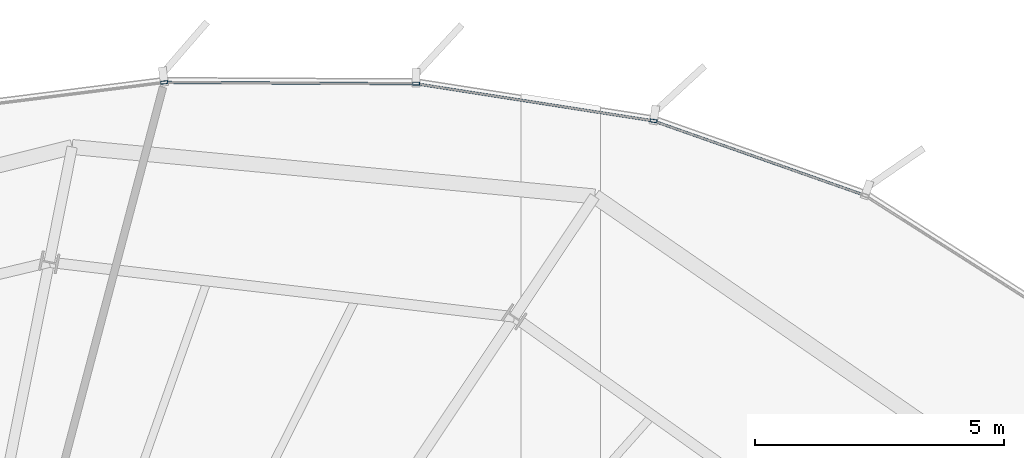
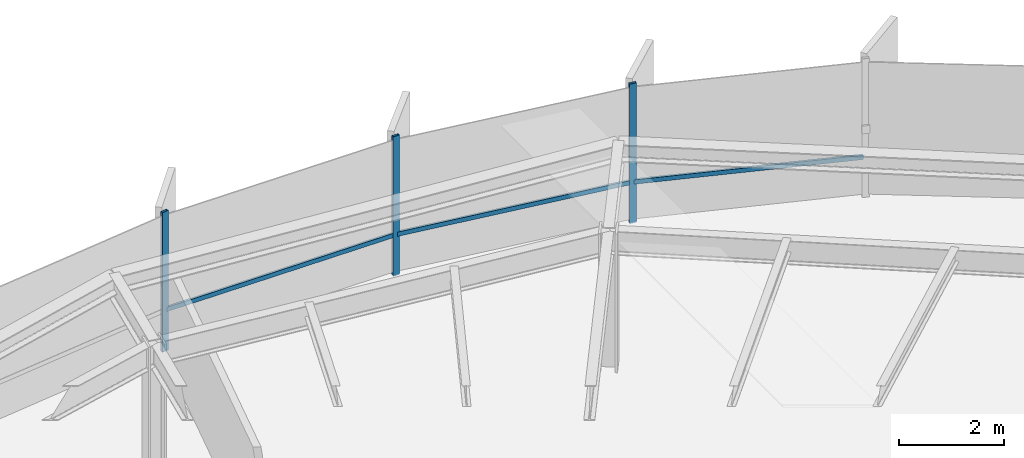
# One storey, part 27 of 35: 6 members, 1 element without a shape of its own.
"""IFC4 building model written with IfcOpenShell, lengths in metres."""

from ifc_helpers import new_model, si_unit, direction, frame, origin, origin_2d, place, context, subcontext, project, spatial, hollow_rectangle, extrude, source, transform, mapped, material, layer, layer_set, material_profile, profile_set, type_object, element, aggregate, save


model = new_model("IFC4")

# Units and contexts
model_context = context("Model", 3, precision=1e-05, world=origin(), true_north=direction((0.0, 1.0)))
body_context = subcontext(model_context, "Body", "Model", "MODEL_VIEW")
ifc_project = project(units=[si_unit("LENGTHUNIT", "METRE"), si_unit("AREAUNIT", "SQUARE_METRE"), si_unit("VOLUMEUNIT", "CUBIC_METRE"), si_unit("PLANEANGLEUNIT", "RADIAN"), si_unit("MASSUNIT", "GRAM", prefix="KILO"), si_unit("THERMODYNAMICTEMPERATUREUNIT", "KELVIN")], contexts=[model_context])

# Site, building, storey
site_placement = place(None, origin())
site = spatial("IfcSite", under=ifc_project, at=site_placement, CompositionType="ELEMENT")
building_placement = place(site_placement, origin())
building = spatial("IfcBuilding", under=site, at=building_placement, Name="Kethvar Cultural Tower", CompositionType="ELEMENT")
storey_placement = place(building_placement, frame((0.0, 0.0, 167.85009765625)))
storey = spatial("IfcBuildingStorey", under=building, at=storey_placement, Name="L43", CompositionType="ELEMENT", Elevation=167.85009765625)

# Curtain wall, members
ifc_material = material(Name="Aluminium 6063-T6", Category="aluminium")
ifc_layer = layer(ifc_material, 0.179931640625, Name="Aluminium 6063-T6", Category="aluminium")
ifc_layer_set = layer_set([ifc_layer], Name="Aluminium 6063-T6 (180 mm)")
curtain_wall_type = type_object("IfcCurtainWallType", Name="CW-SYS-04-Z34", PredefinedType="NOTDEFINED", material=ifc_layer_set)
curtain_wall_placement = place(storey_placement, origin())
curtain_wall = element("IfcCurtainWall", 1, at=curtain_wall_placement, inside=storey, type_object=curtain_wall_type, Name="L43 Curtain Wall Run 01", PredefinedType="NOTDEFINED")
ifc_material_profile_1 = material_profile(ifc_material, hollow_rectangle(XDim=0.06005859375, YDim=0.139892578125, WallThickness=0.0048828125, at=origin_2d()), Name="Aluminium 6063-T6 — RHS140x60x5")
ifc_profile_set_1 = profile_set([ifc_material_profile_1], Name="Aluminium 6063-T6 — RHS140x60x5")
member_type_1 = type_object("IfcMemberType", Name="CW-SYS-04-Z34-MUL", PredefinedType="MULLION", material=ifc_profile_set_1)
shared_shape_1 = source(origin(), body_context, "Body", "SweptSolid", [
    extrude(hollow_rectangle(XDim=0.06005859375, YDim=0.139892578125, WallThickness=0.0048828125, at=origin_2d()), origin(), (0.0, 0.0, 1.0), 3.239990234375),
])
member_1_placement = place(storey_placement, frame((63.202880859375, 52.097412109375, 0.0), z_axis=(0.0, 0.0, 1.0), x_axis=(-0.154348269713, -0.988016503727, 0.0)))
member_1 = element("IfcMember", 2, at=member_1_placement, type_object=member_type_1, Name="CW-L43-R01 Mullion 4", PredefinedType="MULLION", context=body_context, shape_type="MappedRepresentation", body=[
    mapped(shared_shape_1, transform((0.0, 0.0, 0.0), scale=1.0)),
])
member_2_placement = place(storey_placement, frame((58.435546875, 52.843505859375, 0.0), z_axis=(0.0, 0.0, 1.0), x_axis=(-0.00504398015, -0.999987279051, 0.0)))
member_2 = element("IfcMember", 3, at=member_2_placement, type_object=member_type_1, Name="CW-L43-R01 Mullion 5", PredefinedType="MULLION", context=body_context, shape_type="MappedRepresentation", body=[
    mapped(shared_shape_1, transform((0.0, 0.0, 0.0), scale=1.0)),
])
member_3_placement = place(storey_placement, frame((53.37744140625, 52.869873046875, 0.0), z_axis=(0.0, 0.0, 1.0), x_axis=(0.125246654747, -0.992125634925, 0.0)))
member_3 = element("IfcMember", 4, at=member_3_placement, type_object=member_type_1, Name="CW-L43-R01 Mullion 6", PredefinedType="MULLION", context=body_context, shape_type="MappedRepresentation", body=[
    mapped(shared_shape_1, transform((0.0, 0.0, 0.0), scale=1.0)),
])
ifc_material_profile_2 = material_profile(ifc_material, hollow_rectangle(XDim=0.050048828125, YDim=0.10009765625, WallThickness=0.00390625, at=origin_2d()), Name="Aluminium 6063-T6 — RHS100x50x4")
ifc_profile_set_2 = profile_set([ifc_material_profile_2], Name="Aluminium 6063-T6 — RHS100x50x4")
member_type_2 = type_object("IfcMemberType", Name="CW-SYS-04-Z34-TRN", PredefinedType="USERDEFINED", material=ifc_profile_set_2)
shared_shape_2 = source(origin(), body_context, "Body", "SweptSolid", [
    extrude(hollow_rectangle(XDim=0.050048828125, YDim=0.10009765625, WallThickness=0.00390625, at=origin_2d()), origin(), (0.0, 0.0, 1.0), 4.435791015625),
])
member_4_placement = place(storey_placement, frame((67.408447265625, 50.615478515625, 0.949951171875), z_axis=(-0.943301859685, 0.331936140718, 0.0), x_axis=(-0.331936140718, -0.943301859685, 0.0)))
member_4 = element("IfcMember", 5, at=member_4_placement, type_object=member_type_2, Name="CW-L43-R01 Transom 3", ObjectType="TRANSOM", PredefinedType="USERDEFINED", context=body_context, shape_type="MappedRepresentation", body=[
    mapped(shared_shape_2, transform((0.0, 0.0, 0.0), scale=1.0)),
])
shared_shape_3 = source(origin(), body_context, "Body", "SweptSolid", [
    extrude(hollow_rectangle(XDim=0.050048828125, YDim=0.10009765625, WallThickness=0.00390625, at=origin_2d()), origin(), (0.0, 0.0, 1.0), 4.75537109375),
])
member_5_placement = place(storey_placement, frame((63.16015625, 52.10400390625, 0.949951171875), z_axis=(-0.98801105487, 0.15438314498, 0.0), x_axis=(-0.15438314498, -0.98801105487, 0.0)))
member_5 = element("IfcMember", 6, at=member_5_placement, type_object=member_type_2, Name="CW-L43-R01 Transom 4", ObjectType="TRANSOM", PredefinedType="USERDEFINED", context=body_context, shape_type="MappedRepresentation", body=[
    mapped(shared_shape_3, transform((0.0, 0.0, 0.0), scale=1.0)),
])
shared_shape_4 = source(origin(), body_context, "Body", "SweptSolid", [
    extrude(hollow_rectangle(XDim=0.050048828125, YDim=0.10009765625, WallThickness=0.00390625, at=origin_2d()), origin(), (0.0, 0.0, 1.0), 4.986083984375),
])
member_6_placement = place(storey_placement, frame((58.392333984375, 52.843505859375, 0.949951171875), z_axis=(-0.999987034503, 0.005092231875, 0.0), x_axis=(-0.005092231875, -0.999987034503, 0.0)))
member_6 = element("IfcMember", 7, at=member_6_placement, type_object=member_type_2, Name="CW-L43-R01 Transom 5", ObjectType="TRANSOM", PredefinedType="USERDEFINED", context=body_context, shape_type="MappedRepresentation", body=[
    mapped(shared_shape_4, transform((0.0, 0.0, 0.0), scale=1.0)),
])
aggregate(curtain_wall, [member_1, member_2, member_3, member_4, member_5, member_6])

save(model, "model.ifc")
